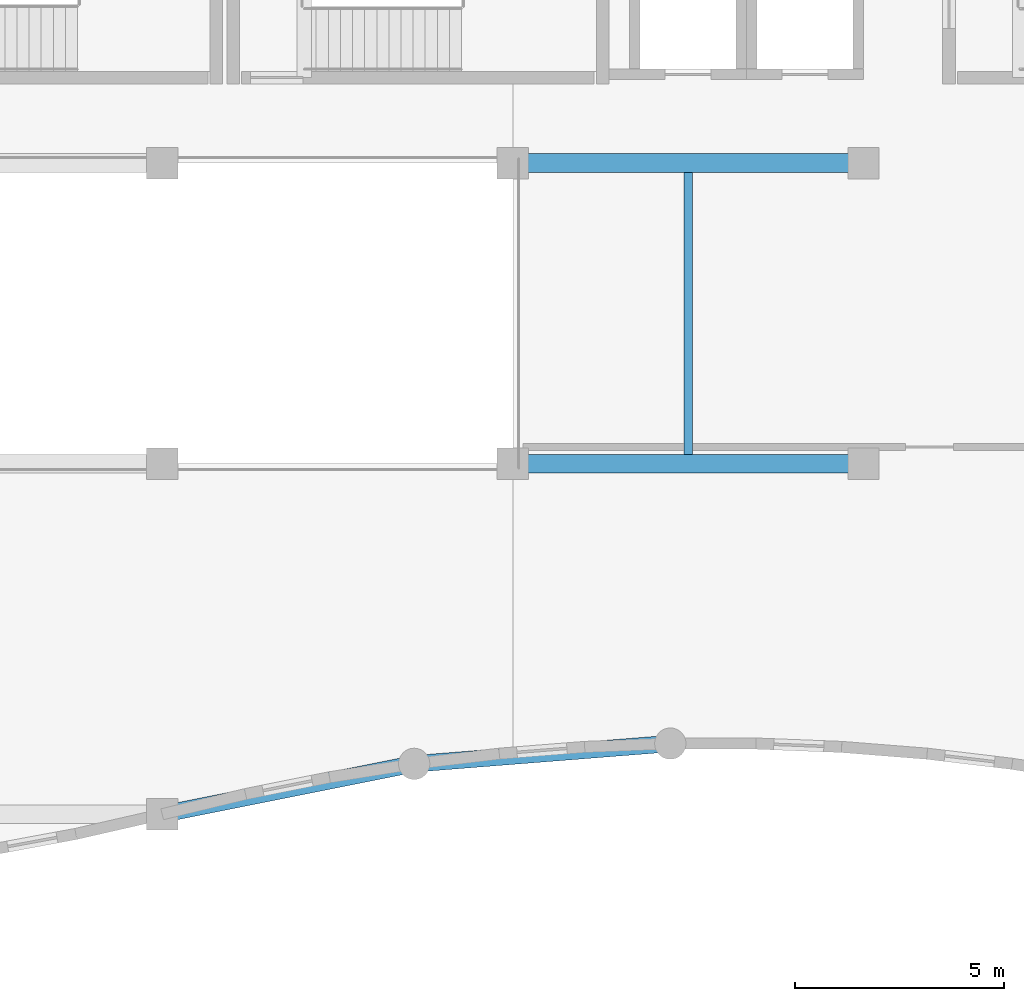
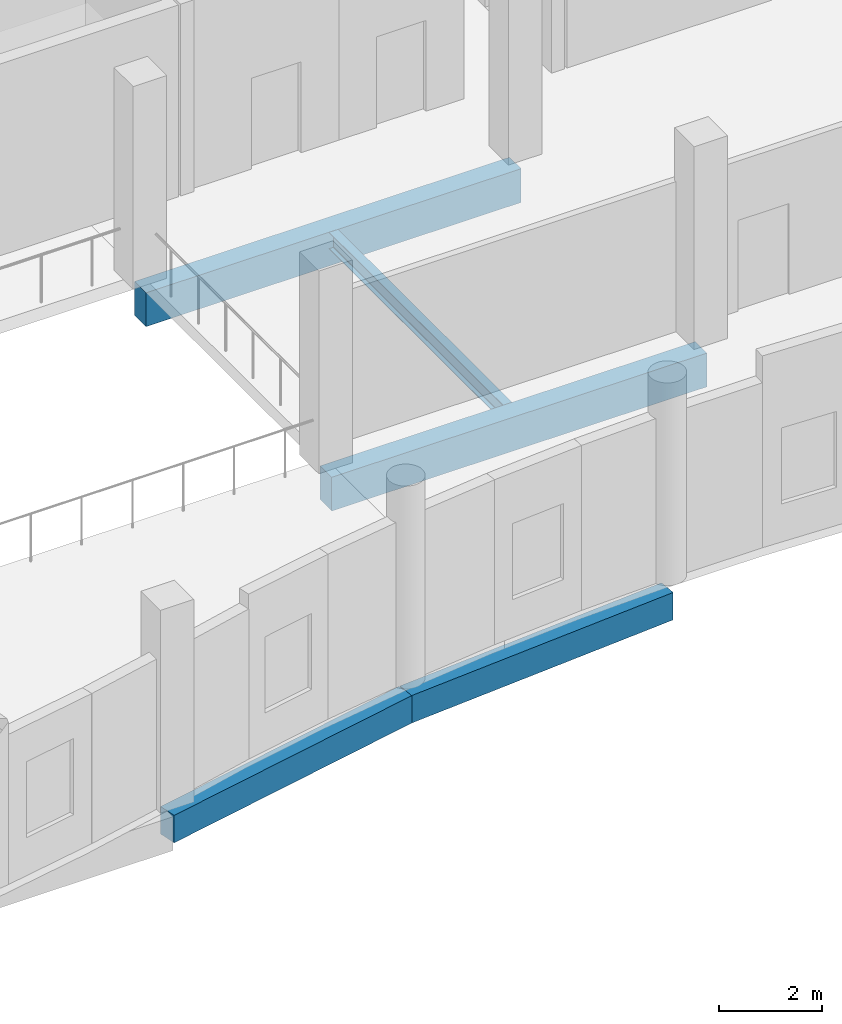
# One storey, part 38 of 106: 5 beams.
"""IFC4 building model written with IfcOpenShell, lengths in metres."""

import ifcopenshell
import ifcopenshell.guid

model = None  # the IFC model being written
_history = None  # IfcOwnerHistory: only IFC2X3 demands one
_inside = {}  # id of a spatial element -> (the spatial element, [elements in it])
_under = {}  # id of a project, library or spatial element -> (it, [spatial elements below it])
_declared = {}  # id of a project -> (the project, [libraries it declares])
_typed = {}  # id of a type object -> (the type object, [elements of that type])
_made_of = {}  # id of a material, layer set ... -> (it, [elements and type objects made of it])


def new_model(schema):
    """Start an empty IFC model of exactly this schema.

    Asked for "IFC4X3", IfcOpenShell would pick the latest addendum, in which some entities
    have other attributes; the version numbers below select the first issue.
    IFC2X3 requires an IfcOwnerHistory on every rooted entity: one is made here for all.
    """
    global model, _history
    if schema == "IFC4X3":
        model = ifcopenshell.file(schema_version=(4, 3, 0, 0))
    else:
        model = ifcopenshell.file(schema=schema)
    _inside.clear()
    _under.clear()
    _declared.clear()
    _typed.clear()
    _made_of.clear()
    _history = None
    if model.schema == "IFC2X3":
        org = make("IfcOrganization", Name="unknown")
        user = make(
            "IfcPersonAndOrganization",
            ThePerson=make("IfcPerson", FamilyName="unknown"),
            TheOrganization=org,
        )
        app = make(
            "IfcApplication",
            ApplicationDeveloper=org,
            Version="unknown",
            ApplicationFullName="unknown",
            ApplicationIdentifier="unknown",
        )
        _history = make(
            "IfcOwnerHistory",
            OwningUser=user,
            OwningApplication=app,
            ChangeAction="ADDED",
            CreationDate=0,
        )
    return model


def make(cls, **values):
    """One entity of the class cls with the attributes given. An attribute that is None is left unset."""
    return model.create_entity(
        cls, **{name: value for name, value in values.items() if value is not None}
    )


def rooted(cls, **values):
    """An entity with a GlobalId (a new one), such as an element, a storey or a relation."""
    return make(cls, GlobalId=ifcopenshell.guid.new(), OwnerHistory=_history, **values)


def si_unit(unit_type, name, prefix=None):
    """IfcSIUnit, for example si_unit("LENGTHUNIT", "METRE", prefix="MILLI")."""
    return make("IfcSIUnit", UnitType=unit_type, Prefix=prefix, Name=name)


def assignment(units):
    """IfcUnitAssignment: the units of a project."""
    return None if units is None else make("IfcUnitAssignment", Units=units)


def point(xyz):
    """IfcCartesianPoint."""
    return None if xyz is None else make("IfcCartesianPoint", Coordinates=xyz)


def direction(xyz):
    """IfcDirection."""
    return None if xyz is None else make("IfcDirection", DirectionRatios=xyz)


def frame(location, z_axis=None, x_axis=None):
    """IfcAxis2Placement3D, a coordinate frame: its origin and axes. An axis left out is left unset."""
    return make(
        "IfcAxis2Placement3D",
        Location=point(location),
        Axis=direction(z_axis),
        RefDirection=direction(x_axis),
    )


def frame_2d(location, x_axis=None):
    """IfcAxis2Placement2D, a coordinate frame in the plane: its origin and x axis."""
    return make(
        "IfcAxis2Placement2D", Location=point(location), RefDirection=direction(x_axis)
    )


def origin():
    """The frame at (0, 0, 0) with its axes left unset."""
    return frame((0.0, 0.0, 0.0))


def origin_2d():
    """The frame at (0, 0) in the plane with its x axis left unset."""
    return frame_2d((0.0, 0.0))


def place(relative_to, where):
    """IfcLocalPlacement: puts the frame where relative to a parent placement (None: the world)."""
    return make(
        "IfcLocalPlacement", PlacementRelTo=relative_to, RelativePlacement=where
    )


def context(
    kind, dimensions, precision=None, world=None, true_north=None, identifier=None
):
    """IfcGeometricRepresentationContext, for example the 3D "Model" context."""
    return make(
        "IfcGeometricRepresentationContext",
        ContextIdentifier=identifier,
        ContextType=kind,
        CoordinateSpaceDimension=dimensions,
        Precision=precision,
        WorldCoordinateSystem=world,
        TrueNorth=true_north,
    )


def subcontext(parent, identifier, kind, view, scale=None):
    """IfcGeometricRepresentationSubContext, for example "Body" below "Model"."""
    return make(
        "IfcGeometricRepresentationSubContext",
        ContextIdentifier=identifier,
        ContextType=kind,
        ParentContext=parent,
        TargetScale=scale,
        TargetView=view,
    )


def project(units=None, contexts=None):
    """IfcProject with its units and contexts."""
    return rooted(
        "IfcProject",
        Name="project",
        RepresentationContexts=contexts,
        UnitsInContext=assignment(units),
    )


def spatial(cls, under=None, at=None, **own):
    """A site, building, storey or space (cls), placed at a placement, below another one or the project."""
    s = rooted(cls, ObjectPlacement=at, **own)
    if under is not None:
        _under.setdefault(under.id(), (under, []))[1].append(s)
    return s


def profile(cls, at=None, kind="AREA", **sizes):
    """A parametric profile (cls). Its sizes go by their IFC names, for example OverallWidth=200.0."""
    return make(cls, ProfileType=kind, Position=at, **sizes)


def rectangle(**sizes):
    """IfcRectangleProfileDef."""
    return profile("IfcRectangleProfileDef", **sizes)


def i_section(**sizes):
    """IfcIShapeProfileDef."""
    return profile("IfcIShapeProfileDef", **sizes)


def extrude(swept, where, along, depth):
    """IfcExtrudedAreaSolid: the profile swept, set in the frame where, extruded along a direction by depth."""
    return make(
        "IfcExtrudedAreaSolid",
        SweptArea=swept,
        Position=where,
        ExtrudedDirection=direction(along),
        Depth=depth,
    )


def shape(context_of_items, identifier, shape_type, items):
    """IfcShapeRepresentation: the items that make up one representation, for example the "Body"."""
    return make(
        "IfcShapeRepresentation",
        ContextOfItems=context_of_items,
        RepresentationIdentifier=identifier,
        RepresentationType=shape_type,
        Items=items,
    )


def material(Name=None, Category=None):
    """IfcMaterial."""
    return make("IfcMaterial", Name=Name, Category=Category)


def material_profile(
    of_material, cross_section, Name=None, Category=None, Priority=None
):
    """IfcMaterialProfile: a cross section and its material."""
    return make(
        "IfcMaterialProfile",
        Name=Name,
        Material=of_material,
        Profile=cross_section,
        Priority=Priority,
        Category=Category,
    )


def profile_set(profiles, Name=None, composite=None):
    """IfcMaterialProfileSet."""
    return make(
        "IfcMaterialProfileSet",
        Name=Name,
        MaterialProfiles=profiles,
        CompositeProfile=composite,
    )


def made_of(thing, what):
    """Note that an element or type object is made of a material, layer set ...; save() writes the relation."""
    if what is not None:
        _made_of.setdefault(what.id(), (what, []))[1].append(thing)
    return thing


def type_object(cls, material=None, **own):
    """A type object (cls), such as IfcWallType, which elements share."""
    return made_of(rooted(cls, **own), material)


def element(
    cls,
    number,
    at=None,
    inside=None,
    cuts=None,
    type_object=None,
    material=None,
    context=None,
    identifier="Body",
    shape_type=None,
    held_by="IfcProductDefinitionShape",
    body=None,
    shapes=None,
    **own,
):
    """One element of the class cls, such as IfcWall. Its Tag is "e" and its number.

    at: its placement. inside: the storey or other place that contains it. cuts: it is an
    opening in that element (IfcRelVoidsElement). A single representation is given by context,
    identifier, shape_type and body (its items); several are given by shapes. held_by: the class
    of the entity that holds the representations. save() writes the other relations.
    """
    e = rooted(cls, Tag="e%d" % number, ObjectPlacement=at, **own)
    if body is not None:
        shapes = [shape(context, identifier, shape_type, body)]
    if shapes is not None:
        e.Representation = make(held_by, Representations=shapes)
    if inside is not None:
        _inside.setdefault(inside.id(), (inside, []))[1].append(e)
    if cuts is not None:
        rooted(
            "IfcRelVoidsElement", RelatingBuildingElement=cuts, RelatedOpeningElement=e
        )
    if type_object is not None:
        _typed.setdefault(type_object.id(), (type_object, []))[1].append(e)
    return made_of(e, material)


def aggregate(whole, parts):
    """IfcRelAggregates: a whole, such as a stair, and the parts it consists of."""
    return rooted("IfcRelAggregates", RelatingObject=whole, RelatedObjects=parts)


def save(model, path):
    """Write the relations noted so far, then the file.

    IfcRelAggregates (storeys below a building ...), IfcRelContainedInSpatialStructure (elements
    in a storey), IfcRelDefinesByType, IfcRelAssociatesMaterial and IfcRelDeclares: one each for
    every whole, place, type object, material and project.
    """
    for whole, parts in _under.values():
        aggregate(whole, parts)
    for where, things in _inside.values():
        rooted(
            "IfcRelContainedInSpatialStructure",
            RelatedElements=things,
            RelatingStructure=where,
        )
    for kind, things in _typed.values():
        rooted("IfcRelDefinesByType", RelatedObjects=things, RelatingType=kind)
    for what, things in _made_of.values():
        rooted("IfcRelAssociatesMaterial", RelatedObjects=things, RelatingMaterial=what)
    for by, libraries in _declared.values():
        rooted("IfcRelDeclares", RelatingContext=by, RelatedDefinitions=libraries)
    model.write(path)


model = new_model("IFC4")

# Units and contexts
model_context = context("Model", 3, precision=1e-05, world=origin(), true_north=direction((0.0, 1.0)))
body_context = subcontext(model_context, "Body", "Model", "MODEL_VIEW")
ifc_project = project(units=[si_unit("LENGTHUNIT", "METRE"), si_unit("AREAUNIT", "SQUARE_METRE"), si_unit("VOLUMEUNIT", "CUBIC_METRE"), si_unit("PLANEANGLEUNIT", "RADIAN"), si_unit("MASSUNIT", "GRAM", prefix="KILO")], contexts=[model_context])

# Site, building, storey
site_placement = place(None, origin())
site = spatial("IfcSite", under=ifc_project, at=site_placement, CompositionType="ELEMENT")
building_placement = place(site_placement, origin())
building = spatial("IfcBuilding", under=site, at=building_placement, Name="Kisaragi Civic Commons", CompositionType="ELEMENT")
storey_placement = place(building_placement, frame((0.0, 0.0, 4.800048828125)))
storey = spatial("IfcBuildingStorey", under=building, at=storey_placement, Name="L01", CompositionType="ELEMENT", Elevation=4.800048828125)

# Beams
ifc_material_1 = material(Name="Concrete Fc30", Category="concrete")
ifc_material_profile_1 = material_profile(ifc_material_1, rectangle(XDim=0.449951171875, YDim=0.800048828125, at=origin_2d()), Name="RC-450x800", Category="concrete")
ifc_profile_set_1 = profile_set([ifc_material_profile_1], Name="Concrete Fc30")
beam_type_1 = type_object("IfcBeamType", Name="G-03", PredefinedType="BEAM", material=ifc_profile_set_1)
for number, where, z_axis, x_axis, name in (
    (1, (105.60009765625, 104.39990234375, -0.705078125), (1.0, 0.0, 0.0), (0.0, 1.0, 0.0), "L01 girder G-03 228"),
    (2, (105.60009765625, 111.60009765625, -0.705078125), (1.0, 0.0, 0.0), (0.0, 1.0, 0.0), "L01 girder G-03 233"),
):
    element("IfcBeam", number, at=place(storey_placement, frame(where, z_axis=z_axis, x_axis=x_axis)), inside=storey, type_object=beam_type_1, Name=name, PredefinedType="BEAM", context=body_context, shape_type="SweptSolid", body=[
        extrude(rectangle(XDim=0.449951171875, YDim=0.800048828125, at=origin_2d()), origin(), (0.0, 0.0, 1.0), 8.39990234375),
    ])
ifc_material_2 = material(Name="Steel SN400 (SN400B)", Category="steel")
ifc_material_profile_2 = material_profile(ifc_material_2, i_section(OverallWidth=0.199951171875, OverallDepth=0.39990234375, WebThickness=0.008056640625, FlangeThickness=0.012939453125, FilletRadius=0.012939453125, at=origin_2d()), Name="H-400x200x8x13", Category="steel")
ifc_profile_set_2 = profile_set([ifc_material_profile_2], Name="Steel SN400 (SN400B)")
beam_type_2 = type_object("IfcBeamType", Name="J-01", PredefinedType="JOIST", material=ifc_profile_set_2)
beam_1_placement = place(storey_placement, frame((109.800048828125, 104.625, -0.505126953125), z_axis=(0.0, 1.0, 0.0), x_axis=(-1.0, 0.0, 0.0)))
element("IfcBeam", 3, at=beam_1_placement, inside=storey, type_object=beam_type_2, Name="L01 secondary steel joist J-01 50", PredefinedType="JOIST", context=body_context, shape_type="SweptSolid", body=[
    extrude(i_section(OverallWidth=0.199951171875, OverallDepth=0.39990234375, WebThickness=0.008056640625, FlangeThickness=0.012939453125, FilletRadius=0.012939453125, at=origin_2d()), origin(), (0.0, 0.0, 1.0), 6.75),
])
ifc_material_profile_3 = material_profile(ifc_material_1, rectangle(XDim=0.39990234375, YDim=0.64990234375, at=origin_2d()), Name="RC-400x650", Category="concrete")
ifc_profile_set_3 = profile_set([ifc_material_profile_3], Name="Concrete Fc30")
beam_type_3 = type_object("IfcBeamType", Name="SPB-02", PredefinedType="SPANDREL", material=ifc_profile_set_3)
beam_2_placement = place(storey_placement, frame((97.199951171875, 96.0, -0.630126953125), z_axis=(0.980574574042, 0.196146640913, 0.0), x_axis=(-0.196146640913, 0.980574574042, 0.0)))
element("IfcBeam", 4, at=beam_2_placement, inside=storey, type_object=beam_type_3, Name="L01 curved spandrel/ring girder SPB-02 243", PredefinedType="SPANDREL", context=body_context, shape_type="SweptSolid", body=[
    extrude(rectangle(XDim=0.39990234375, YDim=0.64990234375, at=origin_2d()), origin(), (0.0, 0.0, 1.0), 6.15625),
])
beam_3_placement = place(storey_placement, frame((103.236572265625, 97.20751953125, -0.630126953125), z_axis=(0.996883884337, 0.078882958543, 0.0), x_axis=(-0.078882958543, 0.996883884337, 0.0)))
element("IfcBeam", 5, at=beam_3_placement, inside=storey, type_object=beam_type_3, Name="L01 curved spandrel/ring girder SPB-02 244", PredefinedType="SPANDREL", context=body_context, shape_type="SweptSolid", body=[
    extrude(rectangle(XDim=0.39990234375, YDim=0.64990234375, at=origin_2d()), origin(), (0.0, 0.0, 1.0), 6.156005859375),
])

save(model, "model.ifc")
